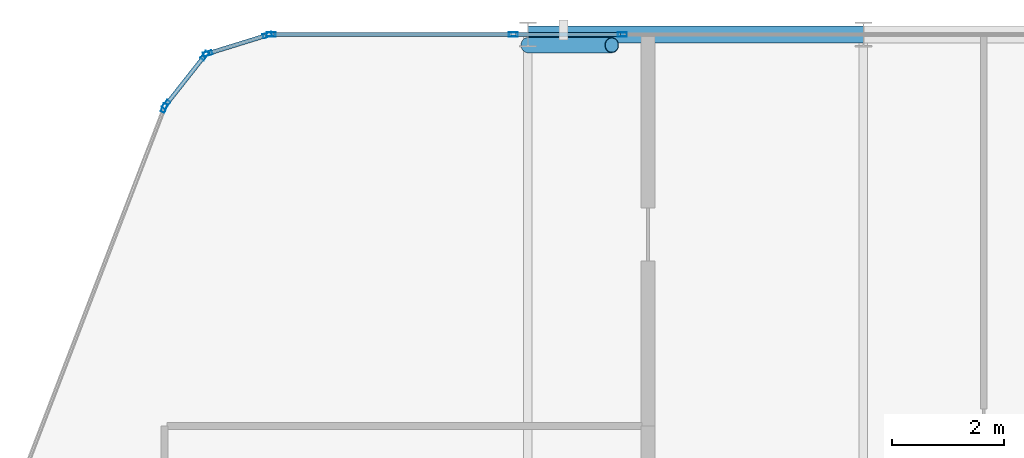
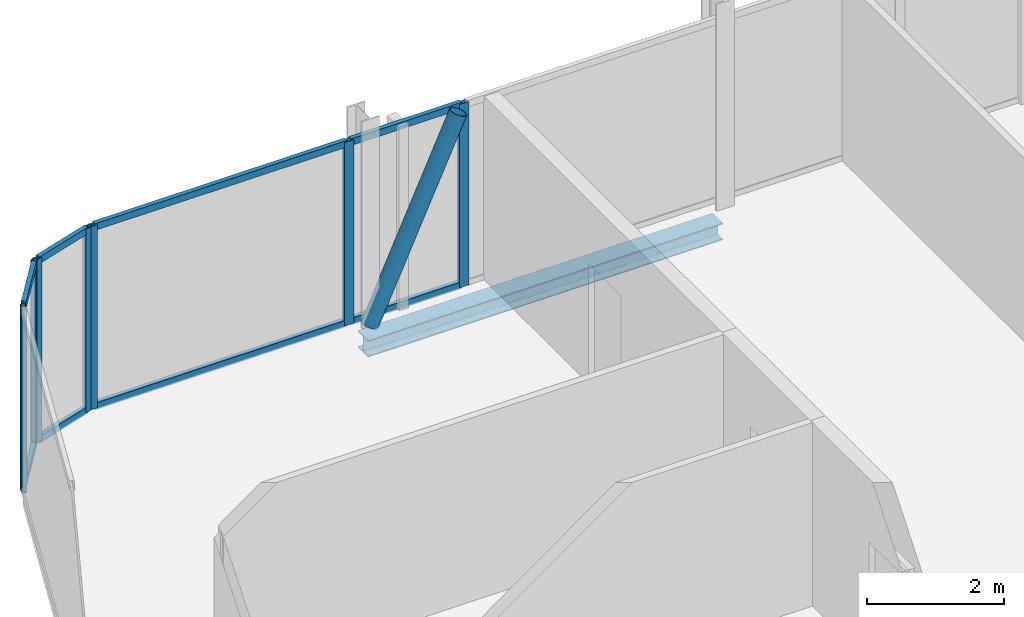
# One storey, part 18 of 28: 17 members, 1 beam, 5 elements without a shape of their own.
"""IFC4 building model written with IfcOpenShell, lengths in metres."""

from ifc_helpers import new_model, si_unit, direction, frame, origin, origin_2d, place, context, subcontext, project, spatial, hollow_rectangle, hollow_circle, i_section, extrude, material, layer, layer_set, material_profile, profile_set, type_object, element, aggregate, save


model = new_model("IFC4")

# Units and contexts
model_context = context("Model", 3, precision=1e-05, world=origin(), true_north=direction((0.0, 1.0)))
body_context = subcontext(model_context, "Body", "Model", "MODEL_VIEW")
ifc_project = project(units=[si_unit("LENGTHUNIT", "METRE"), si_unit("AREAUNIT", "SQUARE_METRE"), si_unit("VOLUMEUNIT", "CUBIC_METRE"), si_unit("PLANEANGLEUNIT", "RADIAN"), si_unit("MASSUNIT", "GRAM", prefix="KILO")], contexts=[model_context])

# Site, building, storey
site_placement = place(None, origin())
site = spatial("IfcSite", under=ifc_project, at=site_placement, CompositionType="ELEMENT")
building_placement = place(site_placement, origin())
building = spatial("IfcBuilding", under=site, at=building_placement, Name="Keshet Zoharim Tower", CompositionType="ELEMENT")
storey_placement = place(building_placement, frame((0.0, 0.0, 233.89990234375)))
storey = spatial("IfcBuildingStorey", under=building, at=storey_placement, Name="L58", CompositionType="ELEMENT", Elevation=233.89990234375)

# Beam
ifc_material_1 = material(Name="Steel S355", Category="steel")
ifc_material_profile_1 = material_profile(ifc_material_1, i_section(OverallWidth=0.300048828125, OverallDepth=0.300048828125, WebThickness=0.010986328125, FlangeThickness=0.01904296875, FilletRadius=0.027099609375, at=origin_2d()), Name="HEB300")
ifc_profile_set_1 = profile_set([ifc_material_profile_1], Name="Steel S355")
beam_type = type_object("IfcBeamType", Name="BM-PRI-HB300", PredefinedType="BEAM", material=ifc_profile_set_1)
beam_placement = place(storey_placement, frame((21.0, 53.89990234375, -0.4599609375), z_axis=(1.0, 0.0, 0.0), x_axis=(0.0, 1.0, 0.0)))
element("IfcBeam", 1, at=beam_placement, inside=storey, type_object=beam_type, Name="L58 Primary Girder X-019", PredefinedType="BEAM", context=body_context, shape_type="SweptSolid", body=[
    extrude(i_section(OverallWidth=0.300048828125, OverallDepth=0.300048828125, WebThickness=0.010986328125, FlangeThickness=0.01904296875, FilletRadius=0.027099609375, at=origin_2d()), origin(), (0.0, 0.0, 1.0), 6.0),
])

# Curtain wall, member
ifc_material_2 = material(Name="Aluminium 6063-T6", Category="aluminium")
ifc_layer = layer(ifc_material_2, 0.139892578125)
ifc_layer_set = layer_set([ifc_layer], Name="Aluminium 6063-T6")
curtain_wall_type = type_object("IfcCurtainWallType", Name="CW-SYS-05", PredefinedType="NOTDEFINED", material=ifc_layer_set)
curtain_wall_1_placement = place(storey_placement, origin())
curtain_wall_1 = element("IfcCurtainWall", 2, at=curtain_wall_1_placement, inside=storey, type_object=curtain_wall_type, Name="L58 Unitised Curtain Wall 13", PredefinedType="NOTDEFINED")
ifc_material_profile_2 = material_profile(ifc_material_2, hollow_rectangle(XDim=0.074951171875, YDim=0.159912109375, WallThickness=0.00390625, at=origin_2d()), Name="MUL-75x160")
ifc_profile_set_2 = profile_set([ifc_material_profile_2], Name="Aluminium 6063-T6")
member_type_1 = type_object("IfcMemberType", Name="CWM-M15", PredefinedType="MULLION", material=ifc_profile_set_2)
member_1_placement = place(storey_placement, frame((14.494384765625, 52.58544921875, 0.0), z_axis=(0.0, 0.0, 1.0), x_axis=(-0.933341404361, 0.358990003907, 0.0)))
member_1 = element("IfcMember", 3, at=member_1_placement, type_object=member_type_1, Name="CW-05 mullion 4", PredefinedType="MULLION", context=body_context, shape_type="SweptSolid", body=[
    extrude(hollow_rectangle(XDim=0.074951171875, YDim=0.159912109375, WallThickness=0.00390625, at=origin_2d()), origin(), (0.0, 0.0, 1.0), 3.280029296875),
])
aggregate(curtain_wall_1, [member_1])

# Curtain wall, members
curtain_wall_2_placement = place(storey_placement, origin())
curtain_wall_2 = element("IfcCurtainWall", 4, at=curtain_wall_2_placement, inside=storey, type_object=curtain_wall_type, Name="L58 Unitised Curtain Wall 14", PredefinedType="NOTDEFINED")
member_2_placement = place(storey_placement, frame((14.528564453125, 52.6455078125, 0.0), z_axis=(0.0, 0.0, 1.0), x_axis=(-0.785292825205, 0.619124525989, 0.0)))
member_2 = element("IfcMember", 5, at=member_2_placement, type_object=member_type_1, Name="CW-05 mullion 1", PredefinedType="MULLION", context=body_context, shape_type="SweptSolid", body=[
    extrude(hollow_rectangle(XDim=0.074951171875, YDim=0.159912109375, WallThickness=0.00390625, at=origin_2d()), origin(), (0.0, 0.0, 1.0), 3.280029296875),
])
member_3_placement = place(storey_placement, frame((15.21923828125, 53.521484375, 0.0), z_axis=(0.0, 0.0, 1.0), x_axis=(-0.785292825205, 0.619124525989, 0.0)))
member_3 = element("IfcMember", 6, at=member_3_placement, type_object=member_type_1, Name="CW-05 mullion 2", PredefinedType="MULLION", context=body_context, shape_type="SweptSolid", body=[
    extrude(hollow_rectangle(XDim=0.074951171875, YDim=0.159912109375, WallThickness=0.00390625, at=origin_2d()), origin(), (0.0, 0.0, 1.0), 3.280029296875),
])

curtain_wall_3_placement = place(storey_placement, origin())
curtain_wall_3 = element("IfcCurtainWall", 7, at=curtain_wall_3_placement, inside=storey, type_object=curtain_wall_type, Name="L58 Unitised Curtain Wall 15", PredefinedType="NOTDEFINED")
member_4_placement = place(storey_placement, frame((15.2744140625, 53.559326171875, 0.0), z_axis=(0.0, 0.0, 1.0), x_axis=(-0.295921857984, 0.955212151288, 0.0)))
member_4 = element("IfcMember", 8, at=member_4_placement, type_object=member_type_1, Name="CW-05 mullion 1", PredefinedType="MULLION", context=body_context, shape_type="SweptSolid", body=[
    extrude(hollow_rectangle(XDim=0.074951171875, YDim=0.159912109375, WallThickness=0.00390625, at=origin_2d()), origin(), (0.0, 0.0, 1.0), 3.280029296875),
])
member_5_placement = place(storey_placement, frame((16.340576171875, 53.8896484375, 0.0), z_axis=(0.0, 0.0, 1.0), x_axis=(-0.295921857984, 0.955212151288, 0.0)))
member_5 = element("IfcMember", 9, at=member_5_placement, type_object=member_type_1, Name="CW-05 mullion 2", PredefinedType="MULLION", context=body_context, shape_type="SweptSolid", body=[
    extrude(hollow_rectangle(XDim=0.074951171875, YDim=0.159912109375, WallThickness=0.00390625, at=origin_2d()), origin(), (0.0, 0.0, 1.0), 3.280029296875),
])

curtain_wall_4_placement = place(storey_placement, origin())
curtain_wall_4 = element("IfcCurtainWall", 10, at=curtain_wall_4_placement, inside=storey, type_object=curtain_wall_type, Name="L58 Unitised Curtain Wall 16", PredefinedType="NOTDEFINED")
member_6_placement = place(storey_placement, frame((16.408935546875, 53.89990234375, 0.0), z_axis=(0.0, 0.0, 1.0), x_axis=(0.0, 1.0, 0.0)))
member_6 = element("IfcMember", 11, at=member_6_placement, type_object=member_type_1, Name="CW-05 mullion 1", PredefinedType="MULLION", context=body_context, shape_type="SweptSolid", body=[
    extrude(hollow_rectangle(XDim=0.074951171875, YDim=0.159912109375, WallThickness=0.00390625, at=origin_2d()), origin(), (0.0, 0.0, 1.0), 3.280029296875),
])
member_7_placement = place(storey_placement, frame((20.740966796875, 53.89990234375, 0.0), z_axis=(0.0, 0.0, 1.0), x_axis=(0.0, 1.0, 0.0)))
member_7 = element("IfcMember", 12, at=member_7_placement, type_object=member_type_1, Name="CW-05 mullion 2", PredefinedType="MULLION", context=body_context, shape_type="SweptSolid", body=[
    extrude(hollow_rectangle(XDim=0.074951171875, YDim=0.159912109375, WallThickness=0.00390625, at=origin_2d()), origin(), (0.0, 0.0, 1.0), 3.280029296875),
])

# Curtain wall, member
curtain_wall_5_placement = place(storey_placement, origin())
curtain_wall_5 = element("IfcCurtainWall", 13, at=curtain_wall_5_placement, inside=storey, type_object=curtain_wall_type, Name="L58 Unitised Curtain Wall 16 Part 2", PredefinedType="NOTDEFINED")
member_8_placement = place(storey_placement, frame((22.689208984375, 53.89990234375, 0.0), z_axis=(0.0, 0.0, 1.0), x_axis=(0.0, 1.0, 0.0)))
member_8 = element("IfcMember", 14, at=member_8_placement, type_object=member_type_1, Name="CW-05 mullion 2", PredefinedType="MULLION", context=body_context, shape_type="SweptSolid", body=[
    extrude(hollow_rectangle(XDim=0.074951171875, YDim=0.159912109375, WallThickness=0.00390625, at=origin_2d()), origin(), (0.0, 0.0, 1.0), 3.280029296875),
])

# Member
ifc_material_profile_3 = material_profile(ifc_material_2, hollow_rectangle(XDim=0.074951171875, YDim=0.1201171875, WallThickness=0.00390625, at=origin_2d()), Name="TRN-75x120")
ifc_profile_set_3 = profile_set([ifc_material_profile_3], Name="Aluminium 6063-T6")
member_type_2 = type_object("IfcMemberType", Name="CWT-T12", PredefinedType="USERDEFINED", material=ifc_profile_set_3)
member_9_placement = place(storey_placement, frame((14.55029296875, 52.6728515625, 0.03515625), z_axis=(0.619099165969, 0.78531281837, 0.0), x_axis=(-0.78531281837, 0.619099165969, 0.0)))
member_9 = element("IfcMember", 15, at=member_9_placement, type_object=member_type_2, Name="CW-05 transom 1.1", ObjectType="TRANSOM", PredefinedType="USERDEFINED", context=body_context, shape_type="SweptSolid", body=[
    extrude(hollow_rectangle(XDim=0.074951171875, YDim=0.1201171875, WallThickness=0.00390625, at=origin_2d()), origin(), (0.0, 0.0, 1.0), 1.0458984375),
])

member_10_placement = place(storey_placement, frame((14.55029296875, 52.6728515625, 3.2451171875), z_axis=(0.619099165969, 0.78531281837, 0.0), x_axis=(-0.78531281837, 0.619099165969, 0.0)))
member_10 = element("IfcMember", 16, at=member_10_placement, type_object=member_type_2, Name="CW-05 transom 1.2", ObjectType="TRANSOM", PredefinedType="USERDEFINED", context=body_context, shape_type="SweptSolid", body=[
    extrude(hollow_rectangle(XDim=0.074951171875, YDim=0.1201171875, WallThickness=0.00390625, at=origin_2d()), origin(), (0.0, 0.0, 1.0), 1.0458984375),
])

aggregate(curtain_wall_2, [member_2, member_3, member_9, member_10])

member_11_placement = place(storey_placement, frame((15.307861328125, 53.56982421875, 0.03515625), z_axis=(0.955212093062, 0.295922045933, 0.0), x_axis=(-0.295922045933, 0.955212093062, 0.0)))
member_11 = element("IfcMember", 17, at=member_11_placement, type_object=member_type_2, Name="CW-05 transom 1.1", ObjectType="TRANSOM", PredefinedType="USERDEFINED", context=body_context, shape_type="SweptSolid", body=[
    extrude(hollow_rectangle(XDim=0.074951171875, YDim=0.1201171875, WallThickness=0.00390625, at=origin_2d()), origin(), (0.0, 0.0, 1.0), 1.046142578125),
])

member_12_placement = place(storey_placement, frame((15.307861328125, 53.56982421875, 3.2451171875), z_axis=(0.955212093062, 0.295922045933, 0.0), x_axis=(-0.295922045933, 0.955212093062, 0.0)))
member_12 = element("IfcMember", 18, at=member_12_placement, type_object=member_type_2, Name="CW-05 transom 1.2", ObjectType="TRANSOM", PredefinedType="USERDEFINED", context=body_context, shape_type="SweptSolid", body=[
    extrude(hollow_rectangle(XDim=0.074951171875, YDim=0.1201171875, WallThickness=0.00390625, at=origin_2d()), origin(), (0.0, 0.0, 1.0), 1.046142578125),
])

aggregate(curtain_wall_3, [member_4, member_5, member_11, member_12])

member_13_placement = place(storey_placement, frame((16.444091796875, 53.89990234375, 0.03515625), z_axis=(1.0, 0.0, 0.0), x_axis=(0.0, 1.0, 0.0)))
member_13 = element("IfcMember", 19, at=member_13_placement, type_object=member_type_2, Name="CW-05 transom 1.1", ObjectType="TRANSOM", PredefinedType="USERDEFINED", context=body_context, shape_type="SweptSolid", body=[
    extrude(hollow_rectangle(XDim=0.074951171875, YDim=0.1201171875, WallThickness=0.00390625, at=origin_2d()), origin(), (0.0, 0.0, 1.0), 4.26171875),
])

member_14_placement = place(storey_placement, frame((16.444091796875, 53.89990234375, 3.2451171875), z_axis=(1.0, 0.0, 0.0), x_axis=(0.0, 1.0, 0.0)))
member_14 = element("IfcMember", 20, at=member_14_placement, type_object=member_type_2, Name="CW-05 transom 1.2", ObjectType="TRANSOM", PredefinedType="USERDEFINED", context=body_context, shape_type="SweptSolid", body=[
    extrude(hollow_rectangle(XDim=0.074951171875, YDim=0.1201171875, WallThickness=0.00390625, at=origin_2d()), origin(), (0.0, 0.0, 1.0), 4.26171875),
])

aggregate(curtain_wall_4, [member_6, member_7, member_13, member_14])

member_15_placement = place(storey_placement, frame((20.77587890625, 53.89990234375, 0.03515625), z_axis=(1.0, 0.0, 0.0), x_axis=(0.0, 1.0, 0.0)))
member_15 = element("IfcMember", 21, at=member_15_placement, type_object=member_type_2, Name="CW-05 transom 1.1", ObjectType="TRANSOM", PredefinedType="USERDEFINED", context=body_context, shape_type="SweptSolid", body=[
    extrude(hollow_rectangle(XDim=0.074951171875, YDim=0.1201171875, WallThickness=0.00390625, at=origin_2d()), origin(), (0.0, 0.0, 1.0), 1.878173828125),
])

member_16_placement = place(storey_placement, frame((20.77587890625, 53.89990234375, 3.2451171875), z_axis=(1.0, 0.0, 0.0), x_axis=(0.0, 1.0, 0.0)))
member_16 = element("IfcMember", 22, at=member_16_placement, type_object=member_type_2, Name="CW-05 transom 1.2", ObjectType="TRANSOM", PredefinedType="USERDEFINED", context=body_context, shape_type="SweptSolid", body=[
    extrude(hollow_rectangle(XDim=0.074951171875, YDim=0.1201171875, WallThickness=0.00390625, at=origin_2d()), origin(), (0.0, 0.0, 1.0), 1.878173828125),
])

aggregate(curtain_wall_5, [member_8, member_15, member_16])

ifc_material_profile_4 = material_profile(ifc_material_1, hollow_circle(Radius=0.136474609375, WallThickness=0.010009765625, at=origin_2d()), Name="CHS273x10")
ifc_profile_set_4 = profile_set([ifc_material_profile_4], Name="Steel S355")
member_type_3 = type_object("IfcMemberType", Name="MB-BR-C273", PredefinedType="BRACE", material=ifc_profile_set_4)
member_17_placement = place(storey_placement, frame((21.0, 53.7099609375, 0.0), z_axis=(0.415887731958, 0.0, 0.909415963356), x_axis=(0.0, 1.0, 0.0)))
element("IfcMember", 23, at=member_17_placement, inside=storey, type_object=member_type_3, Name="L58 Perimeter Tube Brace 02", PredefinedType="BRACE", context=body_context, shape_type="SweptSolid", body=[
    extrude(hollow_circle(Radius=0.136474609375, WallThickness=0.010009765625, at=origin_2d()), origin(), (0.0, 0.0, 1.0), 3.606689453125),
])

save(model, "model.ifc")
